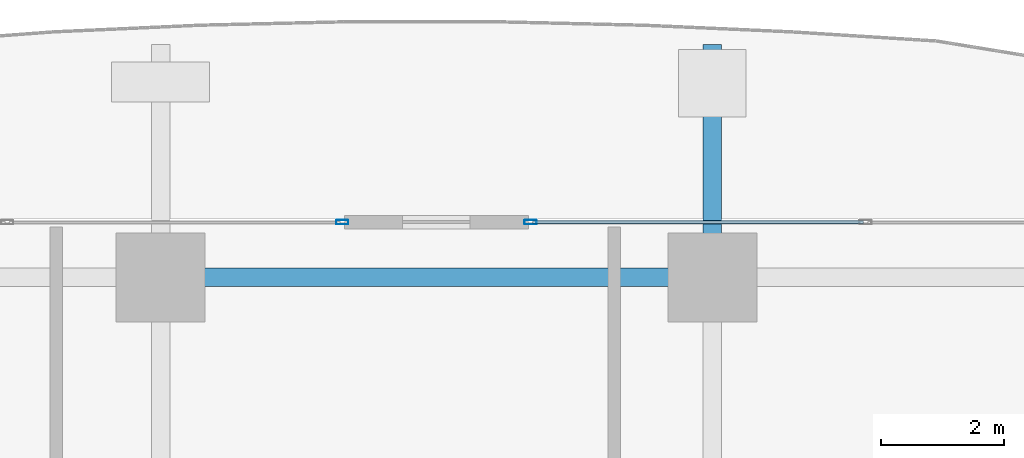
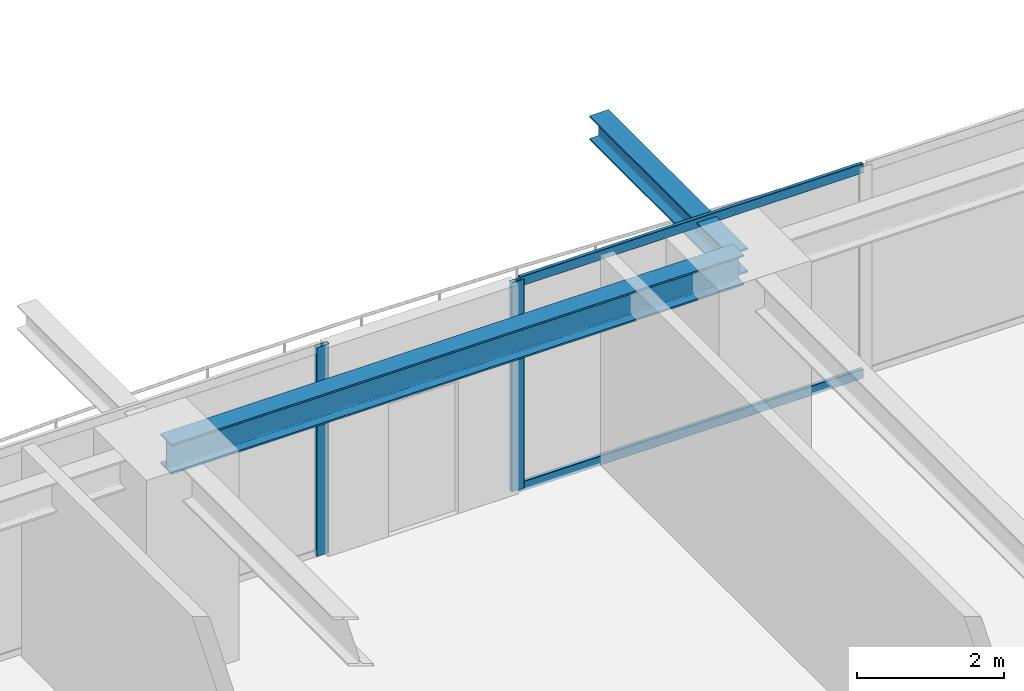
# One storey, part 21 of 38: 4 members, 2 beams, 2 elements without a shape of their own.
"""IFC4 building model written with IfcOpenShell, lengths in metres."""

from ifc_helpers import new_model, si_unit, direction, frame, origin, origin_2d, place, context, subcontext, project, spatial, hollow_rectangle, i_section, extrude, source, transform, mapped, material, layer, layer_set, material_profile, profile_set, type_object, element, aggregate, save


model = new_model("IFC4")

# Units and contexts
model_context = context("Model", 3, precision=1e-05, world=origin(), true_north=direction((0.0, 1.0)))
body_context = subcontext(model_context, "Body", "Model", "MODEL_VIEW")
ifc_project = project(units=[si_unit("LENGTHUNIT", "METRE"), si_unit("AREAUNIT", "SQUARE_METRE"), si_unit("VOLUMEUNIT", "CUBIC_METRE"), si_unit("PLANEANGLEUNIT", "RADIAN"), si_unit("MASSUNIT", "GRAM", prefix="KILO")], contexts=[model_context])

# Site, building, storey
site_placement = place(None, origin())
site = spatial("IfcSite", under=ifc_project, at=site_placement, CompositionType="ELEMENT")
building_placement = place(site_placement, origin())
building = spatial("IfcBuilding", under=site, at=building_placement, Name="Serunith Strait Residences", CompositionType="ELEMENT")
storey_placement = place(building_placement, frame((0.0, 0.0, 37.949951171875)))
storey = spatial("IfcBuildingStorey", under=building, at=storey_placement, Name="L08", CompositionType="ELEMENT", Elevation=37.949951171875)

# Beams
ifc_material_1 = material(Name="Steel S355J2", Category="steel")
ifc_material_profile_1 = material_profile(ifc_material_1, i_section(OverallWidth=0.300048828125, OverallDepth=0.5, WebThickness=0.014404296875, FlangeThickness=0.028076171875, FilletRadius=0.027099609375, at=origin_2d()), Name="HEB 500")
ifc_profile_set_1 = profile_set([ifc_material_profile_1], Name="Steel S355J2")
beam_type_1 = type_object("IfcBeamType", Name="BM-HEB500", PredefinedType="BEAM", material=ifc_profile_set_1)
shared_shape_1 = source(origin(), body_context, "Body", "SweptSolid", [
    extrude(i_section(OverallWidth=0.300048828125, OverallDepth=0.5, WebThickness=0.014404296875, FlangeThickness=0.028076171875, FilletRadius=0.027099609375, at=origin_2d()), origin(), (0.0, 0.0, 1.0), 9.0),
])
beam_1_placement = place(storey_placement, frame((36.89990234375, 49.300048828125, 3.237060546875), z_axis=(-1.0, 0.0, 0.0), x_axis=(0.0, -1.0, 0.0)))
element("IfcBeam", 1, at=beam_1_placement, inside=storey, type_object=beam_type_1, Name="L08 Perimeter Ring Beam 10", PredefinedType="BEAM", context=body_context, shape_type="MappedRepresentation", body=[
    mapped(shared_shape_1, transform((0.0, 0.0, 0.0), scale=1.0)),
])
ifc_material_profile_2 = material_profile(ifc_material_1, i_section(OverallWidth=0.300048828125, OverallDepth=0.39990234375, WebThickness=0.013427734375, FlangeThickness=0.02392578125, FilletRadius=0.027099609375, at=origin_2d()), Name="HEB 400")
ifc_profile_set_2 = profile_set([ifc_material_profile_2], Name="Steel S355J2")
beam_type_2 = type_object("IfcBeamType", Name="BM-HEB400", PredefinedType="BEAM", material=ifc_profile_set_2)
shared_shape_2 = source(origin(), body_context, "Body", "SweptSolid", [
    extrude(i_section(OverallWidth=0.300048828125, OverallDepth=0.39990234375, WebThickness=0.013427734375, FlangeThickness=0.02392578125, FilletRadius=0.027099609375, at=origin_2d()), origin(), (0.0, 0.0, 1.0), 3.800048828125),
])
beam_2_placement = place(storey_placement, frame((36.89990234375, 49.300048828125, 3.257080078125), z_axis=(0.0, 1.0, 0.0), x_axis=(-1.0, 0.0, 0.0)))
element("IfcBeam", 2, at=beam_2_placement, inside=storey, type_object=beam_type_2, Name="L09 Cantilevered Balcony Rib TC-N3", PredefinedType="BEAM", context=body_context, shape_type="MappedRepresentation", body=[
    mapped(shared_shape_2, transform((0.0, 0.0, 0.0), scale=1.0)),
])

# Curtain wall, member
ifc_material_2 = material(Name="Pale-Champagne Anodised Aluminium", Category="aluminium")
ifc_layer = layer(ifc_material_2, 0.199951171875, Name="Pale-Champagne Anodised Aluminium")
ifc_layer_set = layer_set([ifc_layer], Name="Pale-Champagne Anodised Aluminium")
curtain_wall_type = type_object("IfcCurtainWallType", Name="CW-SYS1", PredefinedType="NOTDEFINED", material=ifc_layer_set)
curtain_wall_1_placement = place(storey_placement, origin())
curtain_wall_1 = element("IfcCurtainWall", 3, at=curtain_wall_1_placement, inside=storey, type_object=curtain_wall_type, Name="L08 N Unitised Fritted Curtain Wall", PredefinedType="NOTDEFINED")
ifc_material_profile_3 = material_profile(ifc_material_2, hollow_rectangle(XDim=0.070068359375, YDim=0.199951171875, WallThickness=0.00390625, InnerFilletRadius=0.006103515625, OuterFilletRadius=0.010009765625, at=origin_2d()), Name="ALU 200x70x4")
ifc_profile_set_3 = profile_set([ifc_material_profile_3], Name="Pale-Champagne Anodised Aluminium")
member_type_1 = type_object("IfcMemberType", Name="CW-SYS1-MULL", PredefinedType="MULLION", material=ifc_profile_set_3)
shared_shape_3 = source(origin(), body_context, "Body", "SweptSolid", [
    extrude(hollow_rectangle(XDim=0.070068359375, YDim=0.199951171875, WallThickness=0.00390625, InnerFilletRadius=0.006103515625, OuterFilletRadius=0.010009765625, at=origin_2d()), origin(), (0.0, 0.0, 1.0), 3.47509765625),
])
member_1_placement = place(storey_placement, frame((33.93505859375, 50.199951171875, 0.0), z_axis=(0.0, 0.0, 1.0), x_axis=(0.0, -1.0, 0.0)))
member_1 = element("IfcMember", 4, at=member_1_placement, type_object=member_type_1, Name="CW-1 mullion 4", PredefinedType="MULLION", context=body_context, shape_type="MappedRepresentation", body=[
    mapped(shared_shape_3, transform((0.0, 0.0, 0.0), scale=1.0)),
])

curtain_wall_2_placement = place(storey_placement, origin())
curtain_wall_2 = element("IfcCurtainWall", 5, at=curtain_wall_2_placement, inside=storey, type_object=curtain_wall_type, Name="L08 N Unitised Fritted Curtain Wall", PredefinedType="NOTDEFINED")
member_2_placement = place(storey_placement, frame((30.864990234375, 50.199951171875, 0.0), z_axis=(0.0, 0.0, 1.0), x_axis=(0.0, -1.0, 0.0)))
member_2 = element("IfcMember", 6, at=member_2_placement, type_object=member_type_1, Name="CW-1 mullion 1", PredefinedType="MULLION", context=body_context, shape_type="MappedRepresentation", body=[
    mapped(shared_shape_3, transform((0.0, 0.0, 0.0), scale=1.0)),
])
aggregate(curtain_wall_2, [member_2])

# Member
ifc_material_profile_4 = material_profile(ifc_material_2, hollow_rectangle(XDim=0.06005859375, YDim=0.159912109375, WallThickness=0.00341796875, InnerFilletRadius=0.00537109375, OuterFilletRadius=0.0087890625, at=origin_2d()), Name="ALU 160x60x3.5")
ifc_profile_set_4 = profile_set([ifc_material_profile_4], Name="Pale-Champagne Anodised Aluminium")
member_type_2 = type_object("IfcMemberType", Name="CW-SYS1-TRAN", PredefinedType="USERDEFINED", material=ifc_profile_set_4)
shared_shape_4 = source(origin(), body_context, "Body", "SweptSolid", [
    extrude(hollow_rectangle(XDim=0.06005859375, YDim=0.159912109375, WallThickness=0.00341796875, InnerFilletRadius=0.00537109375, OuterFilletRadius=0.0087890625, at=origin_2d()), origin(), (0.0, 0.0, 1.0), 5.39501953125),
])
member_3_placement = place(storey_placement, frame((39.364990234375, 50.199951171875, 0.030029296875), z_axis=(-1.0, 0.0, 0.0), x_axis=(0.0, -1.0, 0.0)))
member_3 = element("IfcMember", 7, at=member_3_placement, type_object=member_type_2, Name="CW-1 transom 3.1", ObjectType="TRANSOM", PredefinedType="USERDEFINED", context=body_context, shape_type="MappedRepresentation", body=[
    mapped(shared_shape_4, transform((0.0, 0.0, 0.0), scale=1.0)),
])

member_4_placement = place(storey_placement, frame((39.364990234375, 50.199951171875, 3.445068359375), z_axis=(-1.0, 0.0, 0.0), x_axis=(0.0, -1.0, 0.0)))
member_4 = element("IfcMember", 8, at=member_4_placement, type_object=member_type_2, Name="CW-1 transom 3.2", ObjectType="TRANSOM", PredefinedType="USERDEFINED", context=body_context, shape_type="MappedRepresentation", body=[
    mapped(shared_shape_4, transform((0.0, 0.0, 0.0), scale=1.0)),
])

aggregate(curtain_wall_1, [member_1, member_3, member_4])

save(model, "model.ifc")
